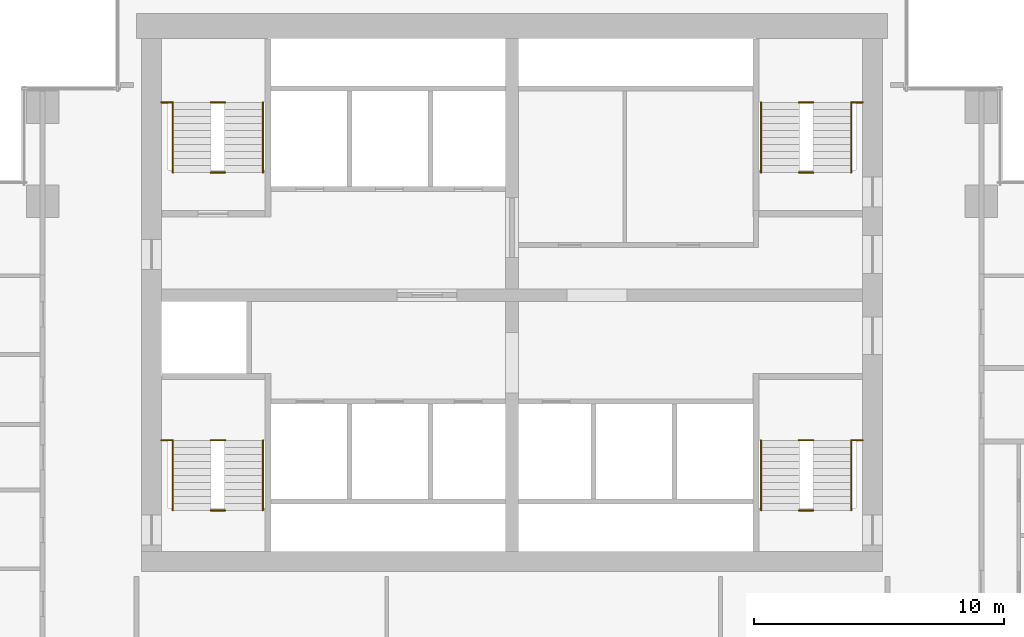
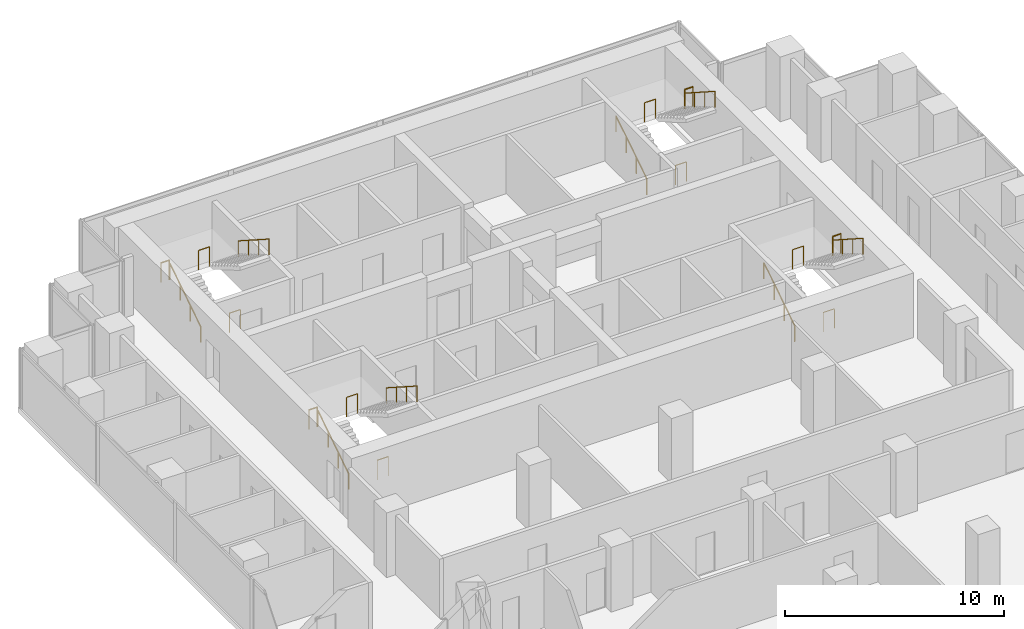
# One storey, part 10 of 10: 20 railings.
"""IFC4 building model written with IfcOpenShell, lengths in metres."""

from ifc_helpers import new_model, si_unit, direction, frame, origin, origin_2d, place, context, subcontext, project, spatial, circle, extrude, material, type_object, element, save


model = new_model("IFC4")

# Units and contexts
model_context = context("Model", 3, precision=1e-05, world=origin(), true_north=direction((0.0, 1.0)))
body_context = subcontext(model_context, "Body", "Model", "MODEL_VIEW")
ifc_project = project(units=[si_unit("LENGTHUNIT", "METRE"), si_unit("AREAUNIT", "SQUARE_METRE"), si_unit("VOLUMEUNIT", "CUBIC_METRE"), si_unit("PLANEANGLEUNIT", "RADIAN"), si_unit("MASSUNIT", "GRAM", prefix="KILO")], contexts=[model_context])

# Site, building, storey
site_placement = place(None, origin())
site = spatial("IfcSite", under=ifc_project, at=site_placement, CompositionType="ELEMENT")
building_placement = place(site_placement, origin())
building = spatial("IfcBuilding", under=site, at=building_placement, Name="Pilkhan Gate Tower", CompositionType="ELEMENT")
storey_placement = place(building_placement, frame((0.0, 0.0, 128.800048828125)))
storey = spatial("IfcBuildingStorey", under=building, at=storey_placement, Name="L32", CompositionType="ELEMENT", Elevation=128.800048828125)

# Railings
ifc_material_1 = material(Name="Black powder-coated steel tube", Category="steel")
railing_type_1 = type_object("IfcRailingType", Name="Stair handrail HR1", PredefinedType="HANDRAIL", material=ifc_material_1)
railing_1_placement = place(storey_placement, frame((84.949951171875, 73.89990234375, 0.0)))
element("IfcRailing", 1, at=railing_1_placement, inside=storey, type_object=railing_type_1, Name="Stair ST1 handrail L32", PredefinedType="HANDRAIL", context=body_context, shape_type="SweptSolid", body=[
    extrude(circle(Radius=0.02392578125, at=origin_2d()), frame((0.0, 0.0, 0.8759765625), z_axis=(0.0, 0.841176092368, 0.540761298198), x_axis=(-1.0, 0.0, 0.0)), (0.0, 0.0, 1.0), 3.32861328125),
    extrude(circle(Radius=0.02099609375, at=origin_2d()), origin(), (0.0, 0.0, 1.0), 0.851806640625),
    extrude(circle(Radius=0.02099609375, at=origin_2d()), frame((0.0, 0.933349609375, 0.60009765625)), (0.0, 0.0, 1.0), 0.851806640625),
    extrude(circle(Radius=0.02099609375, at=origin_2d()), frame((0.0, 1.86669921875, 1.199951171875)), (0.0, 0.0, 1.0), 0.851806640625),
    extrude(circle(Radius=0.02099609375, at=origin_2d()), frame((0.0, 2.800048828125, 1.800048828125)), (0.0, 0.0, 1.0), 0.851806640625),
])
railing_2_placement = place(storey_placement, frame((88.550048828125, 76.699951171875, 1.800048828125)))
element("IfcRailing", 2, at=railing_2_placement, inside=storey, type_object=railing_type_1, Name="Stair ST1 handrail L32", PredefinedType="HANDRAIL", context=body_context, shape_type="SweptSolid", body=[
    extrude(circle(Radius=0.02392578125, at=origin_2d()), frame((0.0, 0.0, 0.8759765625), z_axis=(0.0, -0.841209454229, 0.540709398952), x_axis=(1.0, 0.0, 0.0)), (0.0, 0.0, 1.0), 3.32861328125),
    extrude(circle(Radius=0.02099609375, at=origin_2d()), origin(), (0.0, 0.0, 1.0), 0.851806640625),
    extrude(circle(Radius=0.02099609375, at=origin_2d()), frame((0.0, -0.933349609375, 0.599853515625)), (0.0, 0.0, 1.0), 0.851806640625),
    extrude(circle(Radius=0.02099609375, at=origin_2d()), frame((0.0, -1.86669921875, 1.199951171875)), (0.0, 0.0, 1.0), 0.851806640625),
    extrude(circle(Radius=0.02099609375, at=origin_2d()), frame((0.0, -2.800048828125, 1.7998046875)), (0.0, 0.0, 1.0), 0.851806640625),
])
railing_3_placement = place(storey_placement, frame((61.449951171875, 73.89990234375, 0.0)))
element("IfcRailing", 3, at=railing_3_placement, inside=storey, type_object=railing_type_1, Name="Stair ST2 handrail L32", PredefinedType="HANDRAIL", context=body_context, shape_type="SweptSolid", body=[
    extrude(circle(Radius=0.02392578125, at=origin_2d()), frame((0.0, 0.0, 0.8759765625), z_axis=(0.0, 0.841176092368, 0.540761298198), x_axis=(-1.0, 0.0, 0.0)), (0.0, 0.0, 1.0), 3.32861328125),
    extrude(circle(Radius=0.02099609375, at=origin_2d()), origin(), (0.0, 0.0, 1.0), 0.851806640625),
    extrude(circle(Radius=0.02099609375, at=origin_2d()), frame((0.0, 0.933349609375, 0.60009765625)), (0.0, 0.0, 1.0), 0.851806640625),
    extrude(circle(Radius=0.02099609375, at=origin_2d()), frame((0.0, 1.86669921875, 1.199951171875)), (0.0, 0.0, 1.0), 0.851806640625),
    extrude(circle(Radius=0.02099609375, at=origin_2d()), frame((0.0, 2.800048828125, 1.800048828125)), (0.0, 0.0, 1.0), 0.851806640625),
])
railing_4_placement = place(storey_placement, frame((65.050048828125, 76.699951171875, 1.800048828125)))
element("IfcRailing", 4, at=railing_4_placement, inside=storey, type_object=railing_type_1, Name="Stair ST2 handrail L32", PredefinedType="HANDRAIL", context=body_context, shape_type="SweptSolid", body=[
    extrude(circle(Radius=0.02392578125, at=origin_2d()), frame((0.0, 0.0, 0.8759765625), z_axis=(0.0, -0.841209454229, 0.540709398952), x_axis=(1.0, 0.0, 0.0)), (0.0, 0.0, 1.0), 3.32861328125),
    extrude(circle(Radius=0.02099609375, at=origin_2d()), origin(), (0.0, 0.0, 1.0), 0.851806640625),
    extrude(circle(Radius=0.02099609375, at=origin_2d()), frame((0.0, -0.933349609375, 0.599853515625)), (0.0, 0.0, 1.0), 0.851806640625),
    extrude(circle(Radius=0.02099609375, at=origin_2d()), frame((0.0, -1.86669921875, 1.199951171875)), (0.0, 0.0, 1.0), 0.851806640625),
    extrude(circle(Radius=0.02099609375, at=origin_2d()), frame((0.0, -2.800048828125, 1.7998046875)), (0.0, 0.0, 1.0), 0.851806640625),
])
railing_5_placement = place(storey_placement, frame((61.449951171875, 87.39990234375, 0.0)))
element("IfcRailing", 5, at=railing_5_placement, inside=storey, type_object=railing_type_1, Name="Stair ST3 handrail L32", PredefinedType="HANDRAIL", context=body_context, shape_type="SweptSolid", body=[
    extrude(circle(Radius=0.02392578125, at=origin_2d()), frame((0.0, 0.0, 0.8759765625), z_axis=(0.0, 0.841176092368, 0.540761298198), x_axis=(-1.0, 0.0, 0.0)), (0.0, 0.0, 1.0), 3.32861328125),
    extrude(circle(Radius=0.02099609375, at=origin_2d()), origin(), (0.0, 0.0, 1.0), 0.851806640625),
    extrude(circle(Radius=0.02099609375, at=origin_2d()), frame((0.0, 0.933349609375, 0.60009765625)), (0.0, 0.0, 1.0), 0.851806640625),
    extrude(circle(Radius=0.02099609375, at=origin_2d()), frame((0.0, 1.86669921875, 1.199951171875)), (0.0, 0.0, 1.0), 0.851806640625),
    extrude(circle(Radius=0.02099609375, at=origin_2d()), frame((0.0, 2.800048828125, 1.800048828125)), (0.0, 0.0, 1.0), 0.851806640625),
])
railing_6_placement = place(storey_placement, frame((65.050048828125, 90.199951171875, 1.800048828125)))
element("IfcRailing", 6, at=railing_6_placement, inside=storey, type_object=railing_type_1, Name="Stair ST3 handrail L32", PredefinedType="HANDRAIL", context=body_context, shape_type="SweptSolid", body=[
    extrude(circle(Radius=0.02392578125, at=origin_2d()), frame((0.0, 0.0, 0.8759765625), z_axis=(0.0, -0.841209454229, 0.540709398952), x_axis=(1.0, 0.0, 0.0)), (0.0, 0.0, 1.0), 3.32861328125),
    extrude(circle(Radius=0.02099609375, at=origin_2d()), origin(), (0.0, 0.0, 1.0), 0.851806640625),
    extrude(circle(Radius=0.02099609375, at=origin_2d()), frame((0.0, -0.933349609375, 0.599853515625)), (0.0, 0.0, 1.0), 0.851806640625),
    extrude(circle(Radius=0.02099609375, at=origin_2d()), frame((0.0, -1.86669921875, 1.199951171875)), (0.0, 0.0, 1.0), 0.851806640625),
    extrude(circle(Radius=0.02099609375, at=origin_2d()), frame((0.0, -2.800048828125, 1.7998046875)), (0.0, 0.0, 1.0), 0.851806640625),
])
railing_7_placement = place(storey_placement, frame((84.949951171875, 87.39990234375, 0.0)))
element("IfcRailing", 7, at=railing_7_placement, inside=storey, type_object=railing_type_1, Name="Stair ST4 handrail L32", PredefinedType="HANDRAIL", context=body_context, shape_type="SweptSolid", body=[
    extrude(circle(Radius=0.02392578125, at=origin_2d()), frame((0.0, 0.0, 0.8759765625), z_axis=(0.0, 0.841176092368, 0.540761298198), x_axis=(-1.0, 0.0, 0.0)), (0.0, 0.0, 1.0), 3.32861328125),
    extrude(circle(Radius=0.02099609375, at=origin_2d()), origin(), (0.0, 0.0, 1.0), 0.851806640625),
    extrude(circle(Radius=0.02099609375, at=origin_2d()), frame((0.0, 0.933349609375, 0.60009765625)), (0.0, 0.0, 1.0), 0.851806640625),
    extrude(circle(Radius=0.02099609375, at=origin_2d()), frame((0.0, 1.86669921875, 1.199951171875)), (0.0, 0.0, 1.0), 0.851806640625),
    extrude(circle(Radius=0.02099609375, at=origin_2d()), frame((0.0, 2.800048828125, 1.800048828125)), (0.0, 0.0, 1.0), 0.851806640625),
])
railing_8_placement = place(storey_placement, frame((88.550048828125, 90.199951171875, 1.800048828125)))
element("IfcRailing", 8, at=railing_8_placement, inside=storey, type_object=railing_type_1, Name="Stair ST4 handrail L32", PredefinedType="HANDRAIL", context=body_context, shape_type="SweptSolid", body=[
    extrude(circle(Radius=0.02392578125, at=origin_2d()), frame((0.0, 0.0, 0.8759765625), z_axis=(0.0, -0.841209454229, 0.540709398952), x_axis=(1.0, 0.0, 0.0)), (0.0, 0.0, 1.0), 3.32861328125),
    extrude(circle(Radius=0.02099609375, at=origin_2d()), origin(), (0.0, 0.0, 1.0), 0.851806640625),
    extrude(circle(Radius=0.02099609375, at=origin_2d()), frame((0.0, -0.933349609375, 0.599853515625)), (0.0, 0.0, 1.0), 0.851806640625),
    extrude(circle(Radius=0.02099609375, at=origin_2d()), frame((0.0, -1.86669921875, 1.199951171875)), (0.0, 0.0, 1.0), 0.851806640625),
    extrude(circle(Radius=0.02099609375, at=origin_2d()), frame((0.0, -2.800048828125, 1.7998046875)), (0.0, 0.0, 1.0), 0.851806640625),
])
ifc_material_2 = material(Name="Black powder-coated steel balusters", Category="steel")
railing_type_2 = type_object("IfcRailingType", Name="Stair well guard G3", PredefinedType="GUARDRAIL", material=ifc_material_2)
railing_9_placement = place(storey_placement, frame((88.580078125, 76.699951171875, 1.800048828125)))
element("IfcRailing", 9, at=railing_9_placement, inside=storey, type_object=railing_type_2, Name="Stair ST1 well guard L32", PredefinedType="GUARDRAIL", context=body_context, shape_type="SweptSolid", body=[
    extrude(circle(Radius=0.02392578125, at=origin_2d()), frame((0.0, 0.0, 1.076171875), z_axis=(1.0, 0.0, 0.0), x_axis=(0.0, 1.0, 0.0)), (0.0, 0.0, 1.0), 0.43994140625),
    extrude(circle(Radius=0.02099609375, at=origin_2d()), origin(), (0.0, 0.0, 1.0), 1.052001953125),
    extrude(circle(Radius=0.02099609375, at=origin_2d()), frame((0.43994140625, 0.0, 0.0)), (0.0, 0.0, 1.0), 1.052001953125),
])
for number, where, name in (
    (10, (86.4599609375, 73.89990234375, 0.0), "Stair ST1 well guard L32"),
    (11, (86.4599609375, 76.699951171875, 1.800048828125), "Stair ST1 well guard L32"),
):
    element("IfcRailing", number, at=place(storey_placement, frame(where)), inside=storey, type_object=railing_type_2, Name=name, PredefinedType="GUARDRAIL", context=body_context, shape_type="SweptSolid", body=[
        extrude(circle(Radius=0.02392578125, at=origin_2d()), frame((0.0, 0.0, 1.076171875), z_axis=(1.0, 0.0, 0.0), x_axis=(0.0, 1.0, 0.0)), (0.0, 0.0, 1.0), 0.580078125),
        extrude(circle(Radius=0.02099609375, at=origin_2d()), origin(), (0.0, 0.0, 1.0), 1.052001953125),
        extrude(circle(Radius=0.02099609375, at=origin_2d()), frame((0.580078125, 0.0, 0.0)), (0.0, 0.0, 1.0), 1.052001953125),
    ])
railing_10_placement = place(storey_placement, frame((60.97998046875, 76.699951171875, 1.800048828125)))
element("IfcRailing", 12, at=railing_10_placement, inside=storey, type_object=railing_type_2, Name="Stair ST2 well guard L32", PredefinedType="GUARDRAIL", context=body_context, shape_type="SweptSolid", body=[
    extrude(circle(Radius=0.02392578125, at=origin_2d()), frame((0.0, 0.0, 1.076171875), z_axis=(1.0, 0.0, 0.0), x_axis=(0.0, 1.0, 0.0)), (0.0, 0.0, 1.0), 0.43994140625),
    extrude(circle(Radius=0.02099609375, at=origin_2d()), origin(), (0.0, 0.0, 1.0), 1.052001953125),
    extrude(circle(Radius=0.02099609375, at=origin_2d()), frame((0.43994140625, 0.0, 0.0)), (0.0, 0.0, 1.0), 1.052001953125),
])
for number, where, name in (
    (13, (62.9599609375, 73.89990234375, 0.0), "Stair ST2 well guard L32"),
    (14, (62.9599609375, 76.699951171875, 1.800048828125), "Stair ST2 well guard L32"),
):
    element("IfcRailing", number, at=place(storey_placement, frame(where)), inside=storey, type_object=railing_type_2, Name=name, PredefinedType="GUARDRAIL", context=body_context, shape_type="SweptSolid", body=[
        extrude(circle(Radius=0.02392578125, at=origin_2d()), frame((0.0, 0.0, 1.076171875), z_axis=(1.0, 0.0, 0.0), x_axis=(0.0, 1.0, 0.0)), (0.0, 0.0, 1.0), 0.580078125),
        extrude(circle(Radius=0.02099609375, at=origin_2d()), origin(), (0.0, 0.0, 1.0), 1.052001953125),
        extrude(circle(Radius=0.02099609375, at=origin_2d()), frame((0.580078125, 0.0, 0.0)), (0.0, 0.0, 1.0), 1.052001953125),
    ])
railing_11_placement = place(storey_placement, frame((60.97998046875, 90.199951171875, 1.800048828125)))
element("IfcRailing", 15, at=railing_11_placement, inside=storey, type_object=railing_type_2, Name="Stair ST3 well guard L32", PredefinedType="GUARDRAIL", context=body_context, shape_type="SweptSolid", body=[
    extrude(circle(Radius=0.02392578125, at=origin_2d()), frame((0.0, 0.0, 1.076171875), z_axis=(1.0, 0.0, 0.0), x_axis=(0.0, 1.0, 0.0)), (0.0, 0.0, 1.0), 0.43994140625),
    extrude(circle(Radius=0.02099609375, at=origin_2d()), origin(), (0.0, 0.0, 1.0), 1.052001953125),
    extrude(circle(Radius=0.02099609375, at=origin_2d()), frame((0.43994140625, 0.0, 0.0)), (0.0, 0.0, 1.0), 1.052001953125),
])
for number, where, name in (
    (16, (62.9599609375, 87.39990234375, 0.0), "Stair ST3 well guard L32"),
    (17, (62.9599609375, 90.199951171875, 1.800048828125), "Stair ST3 well guard L32"),
):
    element("IfcRailing", number, at=place(storey_placement, frame(where)), inside=storey, type_object=railing_type_2, Name=name, PredefinedType="GUARDRAIL", context=body_context, shape_type="SweptSolid", body=[
        extrude(circle(Radius=0.02392578125, at=origin_2d()), frame((0.0, 0.0, 1.076171875), z_axis=(1.0, 0.0, 0.0), x_axis=(0.0, 1.0, 0.0)), (0.0, 0.0, 1.0), 0.580078125),
        extrude(circle(Radius=0.02099609375, at=origin_2d()), origin(), (0.0, 0.0, 1.0), 1.052001953125),
        extrude(circle(Radius=0.02099609375, at=origin_2d()), frame((0.580078125, 0.0, 0.0)), (0.0, 0.0, 1.0), 1.052001953125),
    ])
railing_12_placement = place(storey_placement, frame((88.580078125, 90.199951171875, 1.800048828125)))
element("IfcRailing", 18, at=railing_12_placement, inside=storey, type_object=railing_type_2, Name="Stair ST4 well guard L32", PredefinedType="GUARDRAIL", context=body_context, shape_type="SweptSolid", body=[
    extrude(circle(Radius=0.02392578125, at=origin_2d()), frame((0.0, 0.0, 1.076171875), z_axis=(1.0, 0.0, 0.0), x_axis=(0.0, 1.0, 0.0)), (0.0, 0.0, 1.0), 0.43994140625),
    extrude(circle(Radius=0.02099609375, at=origin_2d()), origin(), (0.0, 0.0, 1.0), 1.052001953125),
    extrude(circle(Radius=0.02099609375, at=origin_2d()), frame((0.43994140625, 0.0, 0.0)), (0.0, 0.0, 1.0), 1.052001953125),
])
for number, where, name in (
    (19, (86.4599609375, 87.39990234375, 0.0), "Stair ST4 well guard L32"),
    (20, (86.4599609375, 90.199951171875, 1.800048828125), "Stair ST4 well guard L32"),
):
    element("IfcRailing", number, at=place(storey_placement, frame(where)), inside=storey, type_object=railing_type_2, Name=name, PredefinedType="GUARDRAIL", context=body_context, shape_type="SweptSolid", body=[
        extrude(circle(Radius=0.02392578125, at=origin_2d()), frame((0.0, 0.0, 1.076171875), z_axis=(1.0, 0.0, 0.0), x_axis=(0.0, 1.0, 0.0)), (0.0, 0.0, 1.0), 0.580078125),
        extrude(circle(Radius=0.02099609375, at=origin_2d()), origin(), (0.0, 0.0, 1.0), 1.052001953125),
        extrude(circle(Radius=0.02099609375, at=origin_2d()), frame((0.580078125, 0.0, 0.0)), (0.0, 0.0, 1.0), 1.052001953125),
    ])

save(model, "model.ifc")
